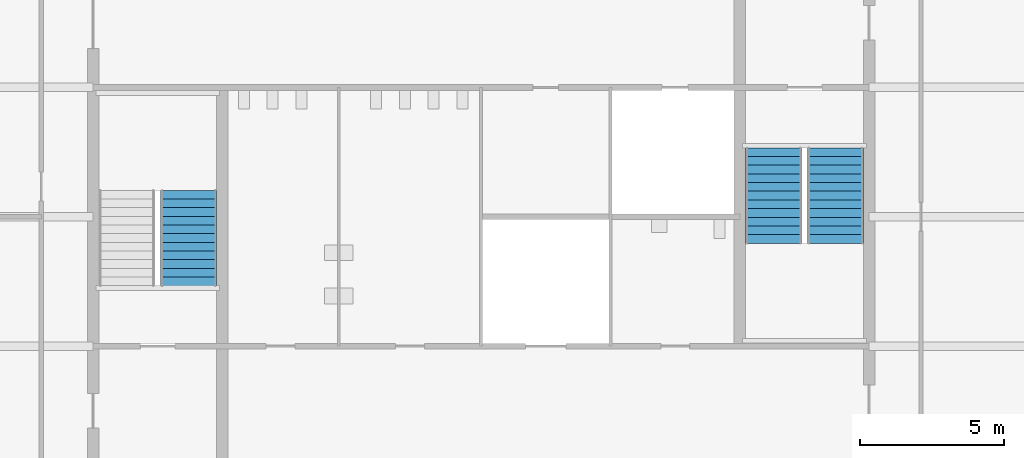
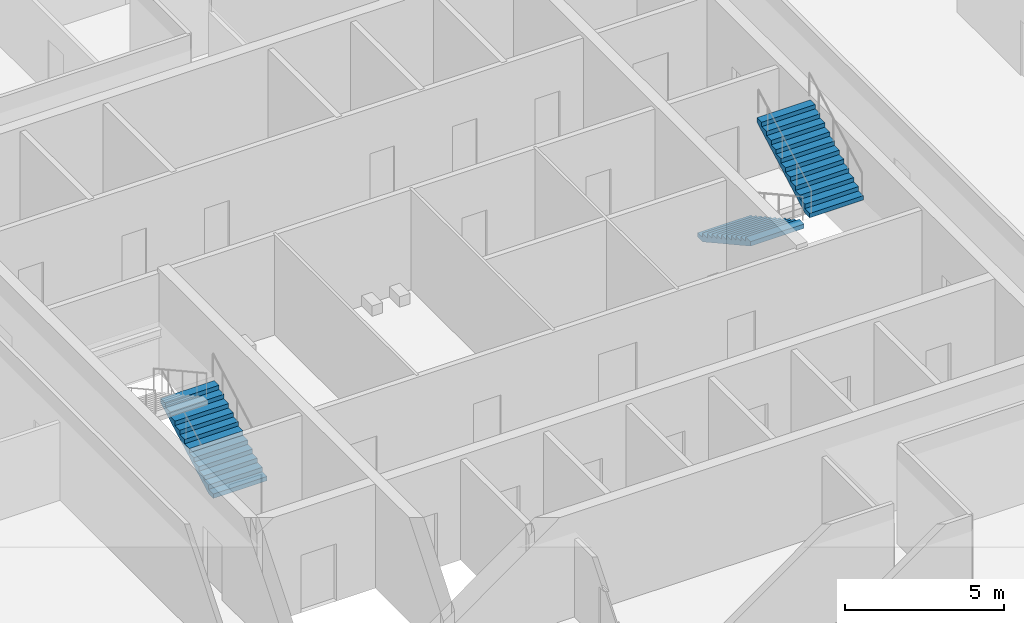
# One storey, part 12 of 14: 3 stair flights, 2 elements without a shape of their own.
"""IFC4 building model written with IfcOpenShell, lengths in metres."""

from ifc_helpers import new_model, si_unit, direction, frame, origin, place, context, subcontext, project, spatial, polyline, outline, extrude, material, type_object, element, aggregate, save


model = new_model("IFC4")

# Units and contexts
model_context = context("Model", 3, precision=1e-05, world=origin(), true_north=direction((0.0, 1.0)))
body_context = subcontext(model_context, "Body", "Model", "MODEL_VIEW")
ifc_project = project(units=[si_unit("LENGTHUNIT", "METRE"), si_unit("AREAUNIT", "SQUARE_METRE"), si_unit("VOLUMEUNIT", "CUBIC_METRE"), si_unit("PLANEANGLEUNIT", "RADIAN"), si_unit("MASSUNIT", "GRAM", prefix="KILO")], contexts=[model_context])

# Site, building, storey
site_placement = place(None, origin())
site = spatial("IfcSite", under=ifc_project, at=site_placement, CompositionType="ELEMENT")
building_placement = place(site_placement, origin())
building = spatial("IfcBuilding", under=site, at=building_placement, Name="Corais Broadcast Tower", CompositionType="ELEMENT")
storey_placement = place(building_placement, frame((0.0, 0.0, 266.60009765625)))
storey = spatial("IfcBuildingStorey", under=building, at=storey_placement, Name="L62", CompositionType="ELEMENT", Elevation=266.60009765625)

# Stair, stair flight
ifc_material_1 = material(Name="Concrete C30/37", Category="concrete")
stair_type = type_object("IfcStairType", Name="Half-turn stair 4000", PredefinedType="HALF_TURN_STAIR", material=ifc_material_1)
stair_1_placement = place(storey_placement, origin())
stair_1 = element("IfcStair", 1, at=stair_1_placement, inside=storey, type_object=stair_type, Name="Stair A L62", PredefinedType="HALF_TURN_STAIR")
ifc_material_2 = material(Name="Concrete C30/37", Category="concrete")
stair_flight_type = type_object("IfcStairFlightType", Name="Stair flight 4000", PredefinedType="STRAIGHT", material=ifc_material_2)
stair_flight_1_placement = place(storey_placement, frame((16.824951171875, 24.60009765625, 0.0), z_axis=(0.0, 0.0, 1.0), x_axis=(0.0, 1.0, 0.0)))
stair_flight_1 = element("IfcStairFlight", 2, at=stair_flight_1_placement, type_object=stair_flight_type, Name="STA flight 1", NumberOfRisers=12, NumberOfTreads=11, PredefinedType="STRAIGHT", RiserHeight=0.166666667, TreadLength=0.302, context=body_context, shape_type="SweptSolid", body=[
    extrude(outline(polyline([(0.0, 0.0), (0.0, 0.166748046875), (0.302001953125, 0.166748046875), (0.302001953125, 0.333251953125), (0.60400390625, 0.333251953125), (0.60400390625, 0.5), (0.906005859375, 0.5), (0.906005859375, 0.666748046875), (1.2080078125, 0.666748046875), (1.2080078125, 0.833251953125), (1.510009765625, 0.833251953125), (1.510009765625, 1.0), (1.81201171875, 1.0), (1.81201171875, 1.166748046875), (2.114013671875, 1.166748046875), (2.114013671875, 1.333251953125), (2.416015625, 1.333251953125), (2.416015625, 1.5), (2.718017578125, 1.5), (2.718017578125, 1.666748046875), (3.02001953125, 1.666748046875), (3.02001953125, 1.833251953125), (3.322021484375, 1.833251953125), (3.322021484375, 2.0), (3.322021484375, 1.662109375), (0.310302734375, 0.0), (0.0, 0.0)])), frame((0.0, 0.97509765625, 0.0), z_axis=(0.0, -1.0, 0.0), x_axis=(1.0, 0.0, 0.0)), (0.0, 0.0, 1.0), 1.949951171875),
])
aggregate(stair_1, [stair_flight_1])

# Stair, stair flights
stair_2_placement = place(storey_placement, origin())
stair_2 = element("IfcStair", 3, at=stair_2_placement, inside=storey, type_object=stair_type, Name="Stair B L62", PredefinedType="HALF_TURN_STAIR")
stair_flight_2_placement = place(storey_placement, frame((37.175048828125, 29.39990234375, 0.0), z_axis=(0.0, 0.0, 1.0), x_axis=(0.0, -1.0, 0.0)))
stair_flight_2 = element("IfcStairFlight", 4, at=stair_flight_2_placement, type_object=stair_flight_type, Name="STB flight 1", NumberOfRisers=12, NumberOfTreads=11, PredefinedType="STRAIGHT", RiserHeight=0.166666667, TreadLength=0.302, context=body_context, shape_type="SweptSolid", body=[
    extrude(outline(polyline([(0.0, 0.0), (0.0, 0.166748046875), (0.302001953125, 0.166748046875), (0.302001953125, 0.333251953125), (0.60400390625, 0.333251953125), (0.60400390625, 0.5), (0.906005859375, 0.5), (0.906005859375, 0.666748046875), (1.2080078125, 0.666748046875), (1.2080078125, 0.833251953125), (1.510009765625, 0.833251953125), (1.510009765625, 1.0), (1.81201171875, 1.0), (1.81201171875, 1.166748046875), (2.114013671875, 1.166748046875), (2.114013671875, 1.333251953125), (2.416015625, 1.333251953125), (2.416015625, 1.5), (2.718017578125, 1.5), (2.718017578125, 1.666748046875), (3.02001953125, 1.666748046875), (3.02001953125, 1.833251953125), (3.322021484375, 1.833251953125), (3.322021484375, 2.0), (3.322021484375, 1.662109375), (0.310302734375, 0.0), (0.0, 0.0)])), frame((0.0, 0.97509765625, 0.0), z_axis=(0.0, -1.0, 0.0), x_axis=(1.0, 0.0, 0.0)), (0.0, 0.0, 1.0), 1.949951171875),
])
stair_flight_3_placement = place(storey_placement, frame((39.324951171875, 26.077880859375, 2.0), z_axis=(0.0, 0.0, 1.0), x_axis=(0.0, 1.0, 0.0)))
stair_flight_3 = element("IfcStairFlight", 5, at=stair_flight_3_placement, type_object=stair_flight_type, Name="STB flight 2", NumberOfRisers=12, NumberOfTreads=11, PredefinedType="STRAIGHT", RiserHeight=0.166666667, TreadLength=0.302, context=body_context, shape_type="SweptSolid", body=[
    extrude(outline(polyline([(0.0, 0.0), (0.0, 0.166748046875), (0.302001953125, 0.166748046875), (0.302001953125, 0.333251953125), (0.60400390625, 0.333251953125), (0.60400390625, 0.5), (0.906005859375, 0.5), (0.906005859375, 0.666748046875), (1.2080078125, 0.666748046875), (1.2080078125, 0.833251953125), (1.510009765625, 0.833251953125), (1.510009765625, 1.0), (1.81201171875, 1.0), (1.81201171875, 1.166748046875), (2.114013671875, 1.166748046875), (2.114013671875, 1.333251953125), (2.416015625, 1.333251953125), (2.416015625, 1.5), (2.718017578125, 1.5), (2.718017578125, 1.666748046875), (3.02001953125, 1.666748046875), (3.02001953125, 1.833251953125), (3.322021484375, 1.833251953125), (3.322021484375, 2.0), (3.322021484375, 1.662109375), (0.310302734375, 0.0), (0.0, 0.0)])), frame((0.0, 0.97509765625, 0.0), z_axis=(0.0, -1.0, 0.0), x_axis=(1.0, 0.0, 0.0)), (0.0, 0.0, 1.0), 1.949951171875),
])
aggregate(stair_2, [stair_flight_2, stair_flight_3])

save(model, "model.ifc")
